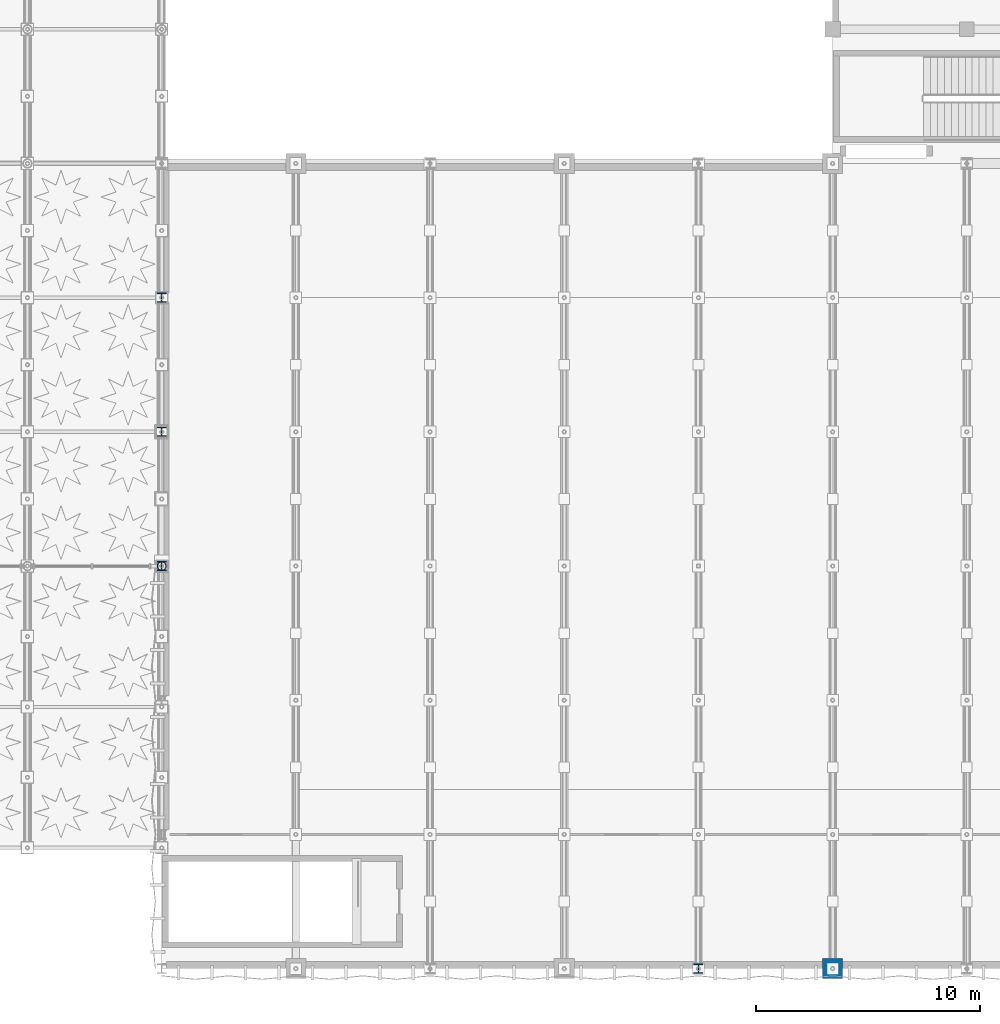
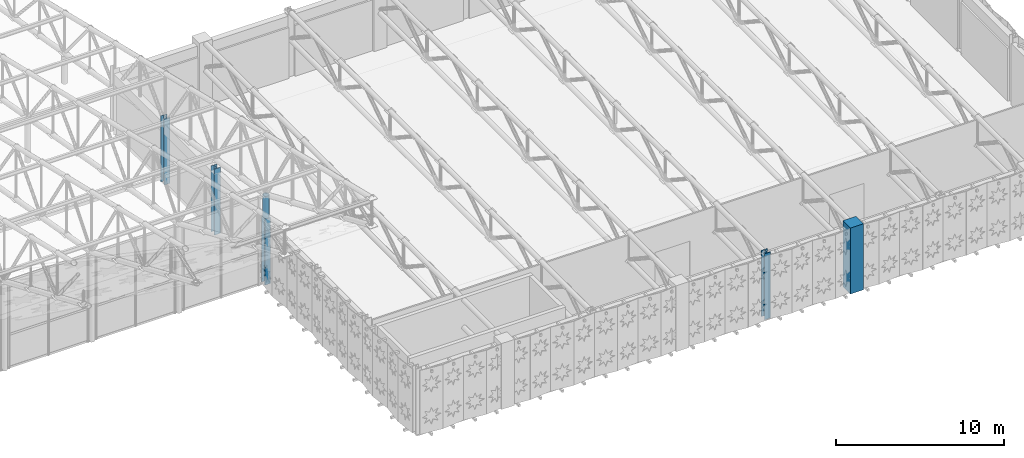
# One storey, part 3 of 123: 6 columns.
"""IFC4 building model written with IfcOpenShell, lengths in metres."""

from ifc_helpers import new_model, si_unit, direction, frame, origin, origin_2d, place, context, subcontext, project, spatial, rectangle, hollow_circle, i_section, extrude, material, material_profile, profile_set, type_object, element, save


model = new_model("IFC4")

# Units and contexts
model_context = context("Model", 3, precision=1e-05, world=origin(), true_north=direction((0.0, 1.0)))
body_context = subcontext(model_context, "Body", "Model", "MODEL_VIEW")
ifc_project = project(units=[si_unit("LENGTHUNIT", "METRE"), si_unit("AREAUNIT", "SQUARE_METRE"), si_unit("VOLUMEUNIT", "CUBIC_METRE"), si_unit("PLANEANGLEUNIT", "RADIAN"), si_unit("MASSUNIT", "GRAM", prefix="KILO"), si_unit("THERMODYNAMICTEMPERATUREUNIT", "KELVIN"), si_unit("POWERUNIT", "WATT")], contexts=[model_context])

# Site, building, storey
site_placement = place(None, origin())
site = spatial("IfcSite", under=ifc_project, at=site_placement, CompositionType="ELEMENT")
building_placement = place(site_placement, origin())
building = spatial("IfcBuilding", under=site, at=building_placement, Name="Phaisarnlok Congress Hotel", CompositionType="ELEMENT")
storey_placement = place(building_placement, frame((0.0, 0.0, 15.0)))
storey = spatial("IfcBuildingStorey", under=building, at=storey_placement, Name="L03", CompositionType="ELEMENT", Elevation=15.0)

# Columns
ifc_material_1 = material(Name="Concrete C50/60", Category="concrete")
ifc_material_profile_1 = material_profile(ifc_material_1, rectangle(XDim=0.89990234375, YDim=0.89990234375, at=origin_2d()), Name="RC 900x900")
ifc_profile_set_1 = profile_set([ifc_material_profile_1], Name="Concrete C50/60")
column_type_1 = type_object("IfcColumnType", Name="COL-RC-900-EXT", PredefinedType="COLUMN", material=ifc_profile_set_1)
column_1_placement = place(storey_placement, frame((126.0, 0.0, 0.0), z_axis=(0.0, 0.0, 1.0), x_axis=(1.0, 0.0, 0.0)))
element("IfcColumn", 1, at=column_1_placement, inside=storey, type_object=column_type_1, Name="Column C-08E (L03)", PredefinedType="COLUMN", context=body_context, shape_type="SweptSolid", body=[
    extrude(rectangle(XDim=0.89990234375, YDim=0.89990234375, at=origin_2d()), origin(), (0.0, 0.0, 1.0), 4.800048828125),
])
ifc_material_2 = material(Name="Steel S355", Category="steel")
ifc_material_profile_2 = material_profile(ifc_material_2, hollow_circle(Radius=0.203125, WallThickness=0.02001953125, at=origin_2d()), Name="CHS 406.4x20")
ifc_profile_set_2 = profile_set([ifc_material_profile_2], Name="Steel S355")
column_type_2 = type_object("IfcColumnType", Name="COL-STL-CHS406-EXT", PredefinedType="COLUMN", material=ifc_profile_set_2)
column_2_placement = place(storey_placement, frame((96.0, 18.0, 4.800048828125), z_axis=(0.0, 0.0, 1.0), x_axis=(1.0, 0.0, 0.0)))
element("IfcColumn", 2, at=column_2_placement, inside=storey, type_object=column_type_2, Name="Foyer wing-roof slim steel column extension SC-02E", PredefinedType="COLUMN", context=body_context, shape_type="SweptSolid", body=[
    extrude(hollow_circle(Radius=0.203125, WallThickness=0.02001953125, at=origin_2d()), origin(), (0.0, 0.0, 1.0), 1.599853515625),
])
ifc_material_profile_3 = material_profile(ifc_material_2, i_section(OverallWidth=0.406005859375, OverallDepth=0.416015625, WebThickness=0.021484375, FlangeThickness=0.034912109375, FilletRadius=0.014892578125, at=origin_2d()), Name="HD 400x382")
ifc_profile_set_3 = profile_set([ifc_material_profile_3], Name="Steel S355")
column_type_3 = type_object("IfcColumnType", Name="COL-STL-HD382", PredefinedType="COLUMN", material=ifc_profile_set_3)
for number, where, z_axis, x_axis, name in (
    (3, (96.0, 18.0, 0.0), (0.0, 0.0, 1.0), (1.0, 0.0, 0.0), "Column SC-05 (L03)"),
    (4, (96.0, 24.0, 0.0), (0.0, 0.0, 1.0), (1.0, 0.0, 0.0), "Column SC-05 (L03)"),
    (5, (96.0, 30.0, 0.0), (0.0, 0.0, 1.0), (1.0, 0.0, 0.0), "Column SC-05 (L03)"),
):
    element("IfcColumn", number, at=place(storey_placement, frame(where, z_axis=z_axis, x_axis=x_axis)), inside=storey, type_object=column_type_3, Name=name, PredefinedType="COLUMN", context=body_context, shape_type="SweptSolid", body=[
        extrude(i_section(OverallWidth=0.406005859375, OverallDepth=0.416015625, WebThickness=0.021484375, FlangeThickness=0.034912109375, FilletRadius=0.014892578125, at=origin_2d()), origin(), (0.0, 0.0, 1.0), 4.800048828125),
    ])
ifc_material_profile_4 = material_profile(ifc_material_2, i_section(OverallWidth=0.406005859375, OverallDepth=0.416015625, WebThickness=0.021484375, FlangeThickness=0.034912109375, FilletRadius=0.014892578125, at=origin_2d()), Name="HD 400x382")
ifc_profile_set_4 = profile_set([ifc_material_profile_4], Name="Steel S355")
column_type_4 = type_object("IfcColumnType", Name="COL-STL-HD382-EXT", PredefinedType="COLUMN", material=ifc_profile_set_4)
column_3_placement = place(storey_placement, frame((120.0, 0.0, 0.0), z_axis=(0.0, 0.0, 1.0), x_axis=(1.0, 0.0, 0.0)))
element("IfcColumn", 6, at=column_3_placement, inside=storey, type_object=column_type_4, Name="Column SC-05E (L03)", PredefinedType="COLUMN", context=body_context, shape_type="SweptSolid", body=[
    extrude(i_section(OverallWidth=0.406005859375, OverallDepth=0.416015625, WebThickness=0.021484375, FlangeThickness=0.034912109375, FilletRadius=0.014892578125, at=origin_2d()), origin(), (0.0, 0.0, 1.0), 4.800048828125),
])

save(model, "model.ifc")
